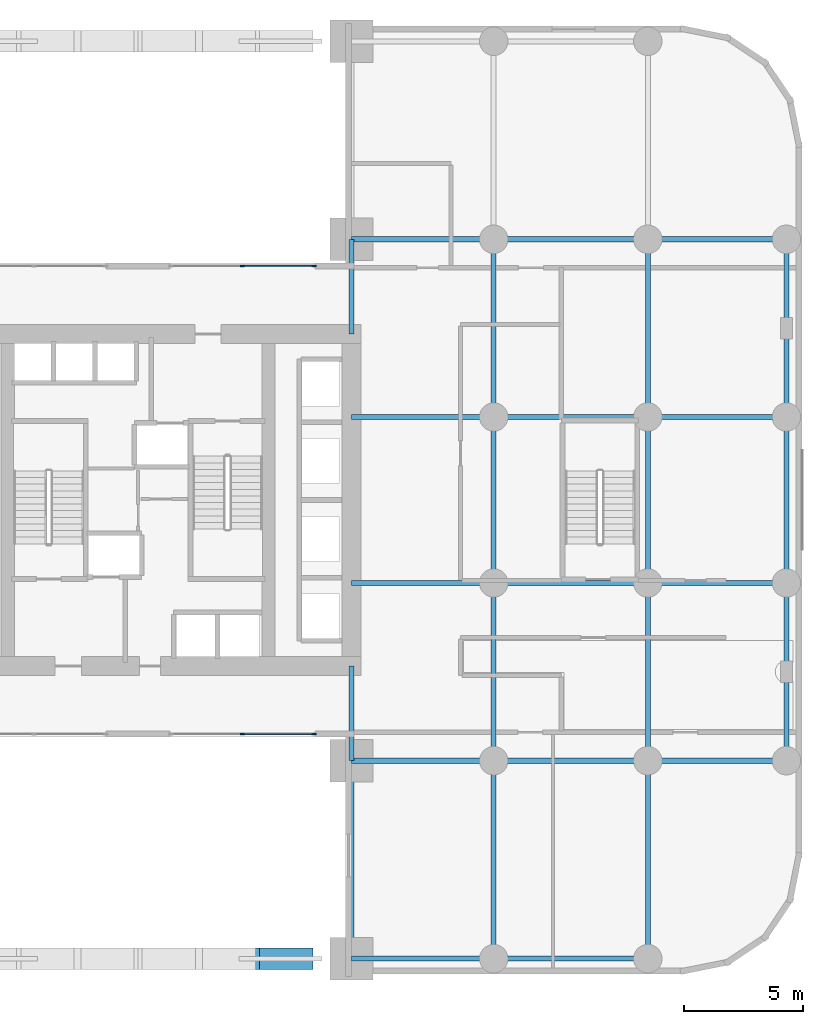
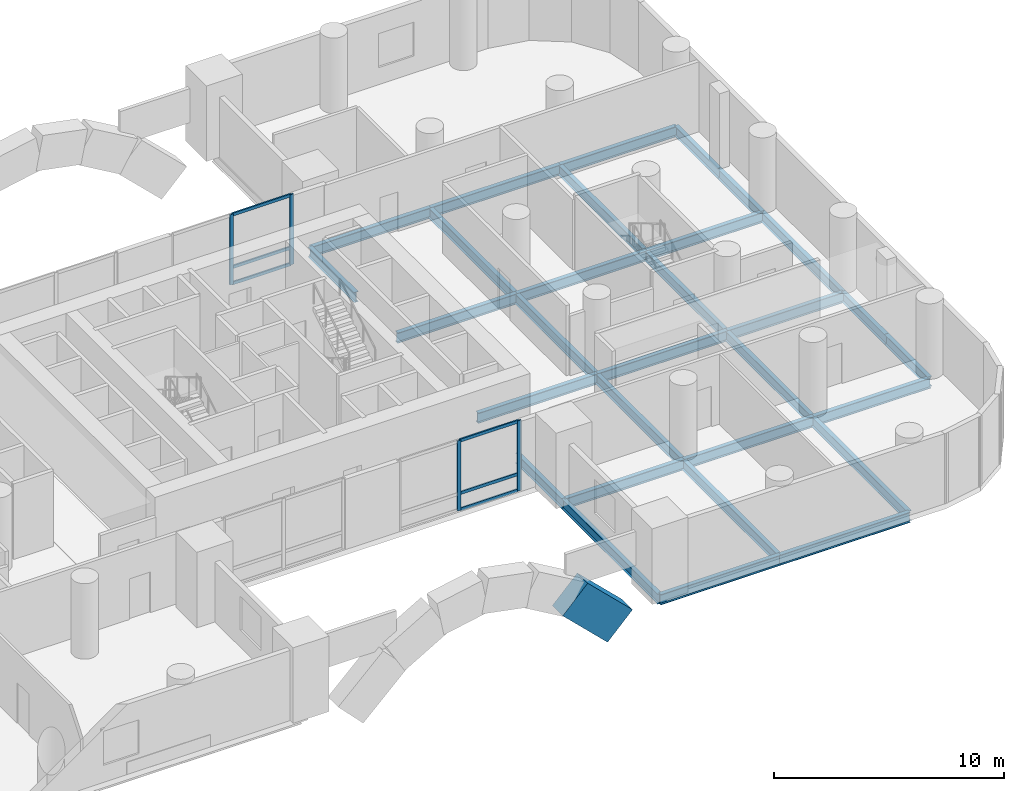
# One storey, part 3 of 9: 30 beams, 11 members, 2 elements without a shape of their own.
"""IFC4 building model written with IfcOpenShell, lengths in metres."""

from ifc_helpers import new_model, si_unit, direction, frame, origin, origin_2d, place, context, subcontext, project, spatial, rectangle, i_section, extrude, material, material_profile, profile_set, type_object, element, aggregate, save


model = new_model("IFC4")

# Units and contexts
model_context = context("Model", 3, precision=1e-05, world=origin(), true_north=direction((0.0, 1.0)))
body_context = subcontext(model_context, "Body", "Model", "MODEL_VIEW")
ifc_project = project(units=[si_unit("LENGTHUNIT", "METRE"), si_unit("AREAUNIT", "SQUARE_METRE"), si_unit("VOLUMEUNIT", "CUBIC_METRE"), si_unit("PLANEANGLEUNIT", "RADIAN"), si_unit("MASSUNIT", "GRAM", prefix="KILO")], contexts=[model_context])

# Site, building, storey
site_placement = place(None, origin())
site = spatial("IfcSite", under=ifc_project, at=site_placement, CompositionType="ELEMENT")
building_placement = place(site_placement, origin())
building = spatial("IfcBuilding", under=site, at=building_placement, Name="Veldorim Arch Residences", CompositionType="ELEMENT")
storey_placement = place(building_placement, frame((0.0, 0.0, 8.0)))
storey = spatial("IfcBuildingStorey", under=building, at=storey_placement, Name="L02", CompositionType="ELEMENT", Elevation=8.0)

# Member
ifc_material_1 = material(Name="Concrete C60/75", Category="concrete")
ifc_material_profile_1 = material_profile(ifc_material_1, rectangle(XDim=0.89990234375, YDim=1.800048828125, at=origin_2d()), Name="RC_RECT_900x1800")
ifc_profile_set_1 = profile_set([ifc_material_profile_1], Name="Concrete C60/75")
member_type_1 = type_object("IfcMemberType", Name="Giant Podium Arch Parabolic Rib 900x1800", PredefinedType="STRUT", material=ifc_profile_set_1)
member_1_placement = place(storey_placement, frame((36.5, 4.64990234375, 1.25), z_axis=(0.716994918814, 0.0, -0.697078393292), x_axis=(0.0, 1.0, 0.0)))
element("IfcMember", 1, at=member_1_placement, inside=storey, type_object=member_type_1, Name="Giant Podium Arch S parabolic rib segment 7", PredefinedType="STRUT", context=body_context, shape_type="SweptSolid", body=[
    extrude(rectangle(XDim=0.89990234375, YDim=1.800048828125, at=origin_2d()), origin(), (0.0, 0.0, 1.0), 3.13818359375),
])

# Curtain wall, members
ifc_material_2 = material(Name="Aluminium", Category="aluminium")
curtain_wall_type = type_object("IfcCurtainWallType", Name="Podium Clinic Double-Glazed Curtain Wall", PredefinedType="NOTDEFINED", material=ifc_material_2)
curtain_wall_1_placement = place(storey_placement, origin())
curtain_wall_1 = element("IfcCurtainWall", 2, at=curtain_wall_1_placement, inside=storey, type_object=curtain_wall_type, Name="L02 polyclinic curtain wall 11-1", PredefinedType="NOTDEFINED")
ifc_material_3 = material(Name="Aluminium", Category="aluminium")
ifc_material_profile_2 = material_profile(ifc_material_3, rectangle(XDim=0.074951171875, YDim=0.18994140625, at=origin_2d()), Name="ALU_MUL_75x190")
ifc_profile_set_2 = profile_set([ifc_material_profile_2], Name="Aluminium")
member_type_2 = type_object("IfcMemberType", Name="Podium Clinic Double-Glazed Curtain Wall Mullion 75x190", PredefinedType="MULLION", material=ifc_profile_set_2)
member_2_placement = place(storey_placement, frame((39.41259765625, 14.125, 0.0), z_axis=(0.0, 0.0, 1.0), x_axis=(0.0, -1.0, 0.0)))
member_2 = element("IfcMember", 3, at=member_2_placement, type_object=member_type_2, Name="CW-POD mullion 1", PredefinedType="MULLION", context=body_context, shape_type="SweptSolid", body=[
    extrude(rectangle(XDim=0.074951171875, YDim=0.18994140625, at=origin_2d()), origin(), (0.0, 0.0, 1.0), 3.719970703125),
])
member_3_placement = place(storey_placement, frame((36.39990234375, 14.125, 0.0), z_axis=(0.0, 0.0, 1.0), x_axis=(0.0, -1.0, 0.0)))
member_3 = element("IfcMember", 4, at=member_3_placement, type_object=member_type_2, Name="CW-POD mullion 2", PredefinedType="MULLION", context=body_context, shape_type="SweptSolid", body=[
    extrude(rectangle(XDim=0.074951171875, YDim=0.18994140625, at=origin_2d()), origin(), (0.0, 0.0, 1.0), 3.719970703125),
])

curtain_wall_2_placement = place(storey_placement, origin())
curtain_wall_2 = element("IfcCurtainWall", 5, at=curtain_wall_2_placement, inside=storey, type_object=curtain_wall_type, Name="L02 polyclinic curtain wall 25-2", PredefinedType="NOTDEFINED")
member_4_placement = place(storey_placement, frame((36.39990234375, 33.875, 0.0), z_axis=(0.0, 0.0, 1.0), x_axis=(0.0, 1.0, 0.0)))
member_4 = element("IfcMember", 6, at=member_4_placement, type_object=member_type_2, Name="CW-POD mullion 2", PredefinedType="MULLION", context=body_context, shape_type="SweptSolid", body=[
    extrude(rectangle(XDim=0.074951171875, YDim=0.18994140625, at=origin_2d()), origin(), (0.0, 0.0, 1.0), 3.719970703125),
])
member_5_placement = place(storey_placement, frame((39.41259765625, 33.875, 0.0), z_axis=(0.0, 0.0, 1.0), x_axis=(0.0, 1.0, 0.0)))
member_5 = element("IfcMember", 7, at=member_5_placement, type_object=member_type_2, Name="CW-POD mullion 3", PredefinedType="MULLION", context=body_context, shape_type="SweptSolid", body=[
    extrude(rectangle(XDim=0.074951171875, YDim=0.18994140625, at=origin_2d()), origin(), (0.0, 0.0, 1.0), 3.719970703125),
])

# Member
ifc_material_4 = material(Name="Aluminium", Category="aluminium")
ifc_material_profile_3 = material_profile(ifc_material_4, rectangle(XDim=0.074951171875, YDim=0.159912109375, at=origin_2d()), Name="ALU_TRN_75x160")
ifc_profile_set_3 = profile_set([ifc_material_profile_3], Name="Aluminium")
member_type_3 = type_object("IfcMemberType", Name="Podium Clinic Double-Glazed Curtain Wall Transom 75x160", PredefinedType="USERDEFINED", material=ifc_profile_set_3)
member_6_placement = place(storey_placement, frame((39.375, 14.125, 0.03759765625), z_axis=(-1.0, 0.0, 0.0), x_axis=(0.0, -1.0, 0.0)))
member_6 = element("IfcMember", 8, at=member_6_placement, type_object=member_type_3, Name="CW-POD transom 1.1", ObjectType="TRANSOM", PredefinedType="USERDEFINED", context=body_context, shape_type="SweptSolid", body=[
    extrude(rectangle(XDim=0.074951171875, YDim=0.159912109375, at=origin_2d()), origin(), (0.0, 0.0, 1.0), 2.9375),
])

member_7_placement = place(storey_placement, frame((39.375, 14.125, 0.89990234375), z_axis=(-1.0, 0.0, 0.0), x_axis=(0.0, -1.0, 0.0)))
member_7 = element("IfcMember", 9, at=member_7_placement, type_object=member_type_3, Name="CW-POD transom 1.2", ObjectType="TRANSOM", PredefinedType="USERDEFINED", context=body_context, shape_type="SweptSolid", body=[
    extrude(rectangle(XDim=0.074951171875, YDim=0.159912109375, at=origin_2d()), origin(), (0.0, 0.0, 1.0), 2.9375),
])

member_8_placement = place(storey_placement, frame((39.375, 14.125, 3.6826171875), z_axis=(-1.0, 0.0, 0.0), x_axis=(0.0, -1.0, 0.0)))
member_8 = element("IfcMember", 10, at=member_8_placement, type_object=member_type_3, Name="CW-POD transom 1.3", ObjectType="TRANSOM", PredefinedType="USERDEFINED", context=body_context, shape_type="SweptSolid", body=[
    extrude(rectangle(XDim=0.074951171875, YDim=0.159912109375, at=origin_2d()), origin(), (0.0, 0.0, 1.0), 2.9375),
])

aggregate(curtain_wall_1, [member_2, member_3, member_6, member_7, member_8])

member_9_placement = place(storey_placement, frame((36.4375, 33.875, 0.03759765625), z_axis=(1.0, 0.0, 0.0), x_axis=(0.0, 1.0, 0.0)))
member_9 = element("IfcMember", 11, at=member_9_placement, type_object=member_type_3, Name="CW-POD transom 2.1", ObjectType="TRANSOM", PredefinedType="USERDEFINED", context=body_context, shape_type="SweptSolid", body=[
    extrude(rectangle(XDim=0.074951171875, YDim=0.159912109375, at=origin_2d()), origin(), (0.0, 0.0, 1.0), 2.9375),
])

member_10_placement = place(storey_placement, frame((36.4375, 33.875, 0.89990234375), z_axis=(1.0, 0.0, 0.0), x_axis=(0.0, 1.0, 0.0)))
member_10 = element("IfcMember", 12, at=member_10_placement, type_object=member_type_3, Name="CW-POD transom 2.2", ObjectType="TRANSOM", PredefinedType="USERDEFINED", context=body_context, shape_type="SweptSolid", body=[
    extrude(rectangle(XDim=0.074951171875, YDim=0.159912109375, at=origin_2d()), origin(), (0.0, 0.0, 1.0), 2.9375),
])

member_11_placement = place(storey_placement, frame((36.4375, 33.875, 3.6826171875), z_axis=(1.0, 0.0, 0.0), x_axis=(0.0, 1.0, 0.0)))
member_11 = element("IfcMember", 13, at=member_11_placement, type_object=member_type_3, Name="CW-POD transom 2.3", ObjectType="TRANSOM", PredefinedType="USERDEFINED", context=body_context, shape_type="SweptSolid", body=[
    extrude(rectangle(XDim=0.074951171875, YDim=0.159912109375, at=origin_2d()), origin(), (0.0, 0.0, 1.0), 2.9375),
])

aggregate(curtain_wall_2, [member_4, member_5, member_9, member_10, member_11])

# Beams
ifc_material_5 = material(Name="Steel S355", Category="steel")
ifc_material_profile_4 = material_profile(ifc_material_5, i_section(OverallWidth=0.2099609375, OverallDepth=0.53662109375, WebThickness=0.0107421875, FlangeThickness=0.017333984375, at=origin_2d()), Name="UB533x210x101")
ifc_profile_set_4 = profile_set([ifc_material_profile_4], Name="Steel S355")
beam_type_1 = type_object("IfcBeamType", Name="Structural Steel Beam UB533x210x101", PredefinedType="BEAM", material=ifc_profile_set_4)
beam_1_placement = place(storey_placement, frame((41.0, 4.64990234375, -0.54833984375), z_axis=(0.0, 1.0, 0.0), x_axis=(-1.0, 0.0, 0.0)))
element("IfcBeam", 14, at=beam_1_placement, inside=storey, type_object=beam_type_1, Name="L02 north-south floor beam (X=41.0, 4.7-13.0)", PredefinedType="BEAM", context=body_context, shape_type="SweptSolid", body=[
    extrude(i_section(OverallWidth=0.2099609375, OverallDepth=0.53662109375, WebThickness=0.0107421875, FlangeThickness=0.017333984375, at=origin_2d()), origin(), (0.0, 0.0, 1.0), 8.35009765625),
])
for number, where, z_axis, x_axis, name in (
    (15, (41.0, 13.0, -0.54833984375), (0.0, 1.0, 0.0), (-1.0, 0.0, 0.0), "L02 north-south floor beam (X=41.0, 13.0-17.0)"),
    (16, (41.0, 31.0, -0.54833984375), (0.0, 1.0, 0.0), (-1.0, 0.0, 0.0), "L02 north-south floor beam (X=41.0, 31.0-35.0)"),
):
    element("IfcBeam", number, at=place(storey_placement, frame(where, z_axis=z_axis, x_axis=x_axis)), inside=storey, type_object=beam_type_1, Name=name, PredefinedType="BEAM", context=body_context, shape_type="SweptSolid", body=[
        extrude(i_section(OverallWidth=0.2099609375, OverallDepth=0.53662109375, WebThickness=0.0107421875, FlangeThickness=0.017333984375, at=origin_2d()), origin(), (0.0, 0.0, 1.0), 4.0),
    ])
beam_2_placement = place(storey_placement, frame((47.0, 4.64990234375, -0.54833984375), z_axis=(0.0, 1.0, 0.0), x_axis=(-1.0, 0.0, 0.0)))
element("IfcBeam", 17, at=beam_2_placement, inside=storey, type_object=beam_type_1, Name="L02 north-south floor beam (X=47.0, 4.7-13.0)", PredefinedType="BEAM", context=body_context, shape_type="SweptSolid", body=[
    extrude(i_section(OverallWidth=0.2099609375, OverallDepth=0.53662109375, WebThickness=0.0107421875, FlangeThickness=0.017333984375, at=origin_2d()), origin(), (0.0, 0.0, 1.0), 8.35009765625),
])
beam_3_placement = place(storey_placement, frame((47.0, 13.0, -0.54833984375), z_axis=(0.0, 1.0, 0.0), x_axis=(-1.0, 0.0, 0.0)))
element("IfcBeam", 18, at=beam_3_placement, inside=storey, type_object=beam_type_1, Name="L02 north-south floor beam (X=47.0, 13.0-20.5)", PredefinedType="BEAM", context=body_context, shape_type="SweptSolid", body=[
    extrude(i_section(OverallWidth=0.2099609375, OverallDepth=0.53662109375, WebThickness=0.0107421875, FlangeThickness=0.017333984375, at=origin_2d()), origin(), (0.0, 0.0, 1.0), 7.5),
])
beam_4_placement = place(storey_placement, frame((47.0, 20.5, -0.54833984375), z_axis=(0.0, 1.0, 0.0), x_axis=(-1.0, 0.0, 0.0)))
element("IfcBeam", 19, at=beam_4_placement, inside=storey, type_object=beam_type_1, Name="L02 north-south floor beam (X=47.0, 20.5-27.5)", PredefinedType="BEAM", context=body_context, shape_type="SweptSolid", body=[
    extrude(i_section(OverallWidth=0.2099609375, OverallDepth=0.53662109375, WebThickness=0.0107421875, FlangeThickness=0.017333984375, at=origin_2d()), origin(), (0.0, 0.0, 1.0), 7.0),
])
beam_5_placement = place(storey_placement, frame((47.0, 27.5, -0.54833984375), z_axis=(0.0, 1.0, 0.0), x_axis=(-1.0, 0.0, 0.0)))
element("IfcBeam", 20, at=beam_5_placement, inside=storey, type_object=beam_type_1, Name="L02 north-south floor beam (X=47.0, 27.5-35.0)", PredefinedType="BEAM", context=body_context, shape_type="SweptSolid", body=[
    extrude(i_section(OverallWidth=0.2099609375, OverallDepth=0.53662109375, WebThickness=0.0107421875, FlangeThickness=0.017333984375, at=origin_2d()), origin(), (0.0, 0.0, 1.0), 7.5),
])
beam_6_placement = place(storey_placement, frame((53.5, 4.64990234375, -0.54833984375), z_axis=(0.0, 1.0, 0.0), x_axis=(-1.0, 0.0, 0.0)))
element("IfcBeam", 21, at=beam_6_placement, inside=storey, type_object=beam_type_1, Name="L02 north-south floor beam (X=53.5, 4.7-13.0)", PredefinedType="BEAM", context=body_context, shape_type="SweptSolid", body=[
    extrude(i_section(OverallWidth=0.2099609375, OverallDepth=0.53662109375, WebThickness=0.0107421875, FlangeThickness=0.017333984375, at=origin_2d()), origin(), (0.0, 0.0, 1.0), 8.35009765625),
])
beam_7_placement = place(storey_placement, frame((53.5, 13.0, -0.54833984375), z_axis=(0.0, 1.0, 0.0), x_axis=(-1.0, 0.0, 0.0)))
element("IfcBeam", 22, at=beam_7_placement, inside=storey, type_object=beam_type_1, Name="L02 north-south floor beam (X=53.5, 13.0-20.5)", PredefinedType="BEAM", context=body_context, shape_type="SweptSolid", body=[
    extrude(i_section(OverallWidth=0.2099609375, OverallDepth=0.53662109375, WebThickness=0.0107421875, FlangeThickness=0.017333984375, at=origin_2d()), origin(), (0.0, 0.0, 1.0), 7.5),
])
beam_8_placement = place(storey_placement, frame((53.5, 20.5, -0.54833984375), z_axis=(0.0, 1.0, 0.0), x_axis=(-1.0, 0.0, 0.0)))
element("IfcBeam", 23, at=beam_8_placement, inside=storey, type_object=beam_type_1, Name="L02 north-south floor beam (X=53.5, 20.5-27.5)", PredefinedType="BEAM", context=body_context, shape_type="SweptSolid", body=[
    extrude(i_section(OverallWidth=0.2099609375, OverallDepth=0.53662109375, WebThickness=0.0107421875, FlangeThickness=0.017333984375, at=origin_2d()), origin(), (0.0, 0.0, 1.0), 7.0),
])
beam_9_placement = place(storey_placement, frame((53.5, 27.5, -0.54833984375), z_axis=(0.0, 1.0, 0.0), x_axis=(-1.0, 0.0, 0.0)))
element("IfcBeam", 24, at=beam_9_placement, inside=storey, type_object=beam_type_1, Name="L02 north-south floor beam (X=53.5, 27.5-35.0)", PredefinedType="BEAM", context=body_context, shape_type="SweptSolid", body=[
    extrude(i_section(OverallWidth=0.2099609375, OverallDepth=0.53662109375, WebThickness=0.0107421875, FlangeThickness=0.017333984375, at=origin_2d()), origin(), (0.0, 0.0, 1.0), 7.5),
])
for number, where, z_axis, x_axis, name in (
    (25, (59.35009765625, 13.0, -0.54833984375), (0.0, 1.0, 0.0), (-1.0, 0.0, 0.0), "L02 north-south floor beam (X=59.4, 13.0-16.8)"),
    (26, (59.35009765625, 16.75, -0.54833984375), (0.0, 1.0, 0.0), (-1.0, 0.0, 0.0), "L02 north-south floor beam (X=59.4, 16.8-20.5)"),
):
    element("IfcBeam", number, at=place(storey_placement, frame(where, z_axis=z_axis, x_axis=x_axis)), inside=storey, type_object=beam_type_1, Name=name, PredefinedType="BEAM", context=body_context, shape_type="SweptSolid", body=[
        extrude(i_section(OverallWidth=0.2099609375, OverallDepth=0.53662109375, WebThickness=0.0107421875, FlangeThickness=0.017333984375, at=origin_2d()), origin(), (0.0, 0.0, 1.0), 3.75),
    ])
beam_10_placement = place(storey_placement, frame((59.35009765625, 20.5, -0.54833984375), z_axis=(0.0, 1.0, 0.0), x_axis=(-1.0, 0.0, 0.0)))
element("IfcBeam", 27, at=beam_10_placement, inside=storey, type_object=beam_type_1, Name="L02 north-south floor beam (X=59.4, 20.5-27.5)", PredefinedType="BEAM", context=body_context, shape_type="SweptSolid", body=[
    extrude(i_section(OverallWidth=0.2099609375, OverallDepth=0.53662109375, WebThickness=0.0107421875, FlangeThickness=0.017333984375, at=origin_2d()), origin(), (0.0, 0.0, 1.0), 7.0),
])
for number, where, z_axis, x_axis, name in (
    (28, (59.35009765625, 27.5, -0.54833984375), (0.0, 1.0, 0.0), (-1.0, 0.0, 0.0), "L02 north-south floor beam (X=59.4, 27.5-31.2)"),
    (29, (59.35009765625, 31.25, -0.54833984375), (0.0, 1.0, 0.0), (-1.0, 0.0, 0.0), "L02 north-south floor beam (X=59.4, 31.2-35.0)"),
):
    element("IfcBeam", number, at=place(storey_placement, frame(where, z_axis=z_axis, x_axis=x_axis)), inside=storey, type_object=beam_type_1, Name=name, PredefinedType="BEAM", context=body_context, shape_type="SweptSolid", body=[
        extrude(i_section(OverallWidth=0.2099609375, OverallDepth=0.53662109375, WebThickness=0.0107421875, FlangeThickness=0.017333984375, at=origin_2d()), origin(), (0.0, 0.0, 1.0), 3.75),
    ])
ifc_material_6 = material(Name="Steel S355", Category="steel")
ifc_material_profile_5 = material_profile(ifc_material_6, i_section(OverallWidth=0.2119140625, OverallDepth=0.54443359375, WebThickness=0.0126953125, FlangeThickness=0.021240234375, at=origin_2d()), Name="UB533x210x122")
ifc_profile_set_5 = profile_set([ifc_material_profile_5], Name="Steel S355")
beam_type_2 = type_object("IfcBeamType", Name="Structural Steel Beam UB533x210x122", PredefinedType="BEAM", material=ifc_profile_set_5)
beam_11_placement = place(storey_placement, frame((41.0, 4.64990234375, -0.55224609375), z_axis=(1.0, 0.0, 0.0), x_axis=(0.0, 1.0, 0.0)))
element("IfcBeam", 30, at=beam_11_placement, inside=storey, type_object=beam_type_2, Name="L02 east-west floor beam (41.0-47.0, Y=4.7)", PredefinedType="BEAM", context=body_context, shape_type="SweptSolid", body=[
    extrude(i_section(OverallWidth=0.2119140625, OverallDepth=0.54443359375, WebThickness=0.0126953125, FlangeThickness=0.021240234375, at=origin_2d()), origin(), (0.0, 0.0, 1.0), 6.0),
])
beam_12_placement = place(storey_placement, frame((47.0, 4.64990234375, -0.55224609375), z_axis=(1.0, 0.0, 0.0), x_axis=(0.0, 1.0, 0.0)))
element("IfcBeam", 31, at=beam_12_placement, inside=storey, type_object=beam_type_2, Name="L02 east-west floor beam (47.0-53.5, Y=4.7)", PredefinedType="BEAM", context=body_context, shape_type="SweptSolid", body=[
    extrude(i_section(OverallWidth=0.2119140625, OverallDepth=0.54443359375, WebThickness=0.0126953125, FlangeThickness=0.021240234375, at=origin_2d()), origin(), (0.0, 0.0, 1.0), 6.5),
])
beam_13_placement = place(storey_placement, frame((41.0, 13.0, -0.55224609375), z_axis=(1.0, 0.0, 0.0), x_axis=(0.0, 1.0, 0.0)))
element("IfcBeam", 32, at=beam_13_placement, inside=storey, type_object=beam_type_2, Name="L02 east-west floor beam (41.0-47.0, Y=13.0)", PredefinedType="BEAM", context=body_context, shape_type="SweptSolid", body=[
    extrude(i_section(OverallWidth=0.2119140625, OverallDepth=0.54443359375, WebThickness=0.0126953125, FlangeThickness=0.021240234375, at=origin_2d()), origin(), (0.0, 0.0, 1.0), 6.0),
])
beam_14_placement = place(storey_placement, frame((47.0, 13.0, -0.55224609375), z_axis=(1.0, 0.0, 0.0), x_axis=(0.0, 1.0, 0.0)))
element("IfcBeam", 33, at=beam_14_placement, inside=storey, type_object=beam_type_2, Name="L02 east-west floor beam (47.0-53.5, Y=13.0)", PredefinedType="BEAM", context=body_context, shape_type="SweptSolid", body=[
    extrude(i_section(OverallWidth=0.2119140625, OverallDepth=0.54443359375, WebThickness=0.0126953125, FlangeThickness=0.021240234375, at=origin_2d()), origin(), (0.0, 0.0, 1.0), 6.5),
])
beam_15_placement = place(storey_placement, frame((53.5, 13.0, -0.55224609375), z_axis=(1.0, 0.0, 0.0), x_axis=(0.0, 1.0, 0.0)))
element("IfcBeam", 34, at=beam_15_placement, inside=storey, type_object=beam_type_2, Name="L02 east-west floor beam (53.5-59.4, Y=13.0)", PredefinedType="BEAM", context=body_context, shape_type="SweptSolid", body=[
    extrude(i_section(OverallWidth=0.2119140625, OverallDepth=0.54443359375, WebThickness=0.0126953125, FlangeThickness=0.021240234375, at=origin_2d()), origin(), (0.0, 0.0, 1.0), 5.85009765625),
])
beam_16_placement = place(storey_placement, frame((41.0, 20.5, -0.55224609375), z_axis=(1.0, 0.0, 0.0), x_axis=(0.0, 1.0, 0.0)))
element("IfcBeam", 35, at=beam_16_placement, inside=storey, type_object=beam_type_2, Name="L02 east-west floor beam (41.0-47.0, Y=20.5)", PredefinedType="BEAM", context=body_context, shape_type="SweptSolid", body=[
    extrude(i_section(OverallWidth=0.2119140625, OverallDepth=0.54443359375, WebThickness=0.0126953125, FlangeThickness=0.021240234375, at=origin_2d()), origin(), (0.0, 0.0, 1.0), 6.0),
])
beam_17_placement = place(storey_placement, frame((47.0, 20.5, -0.55224609375), z_axis=(1.0, 0.0, 0.0), x_axis=(0.0, 1.0, 0.0)))
element("IfcBeam", 36, at=beam_17_placement, inside=storey, type_object=beam_type_2, Name="L02 east-west floor beam (47.0-53.5, Y=20.5)", PredefinedType="BEAM", context=body_context, shape_type="SweptSolid", body=[
    extrude(i_section(OverallWidth=0.2119140625, OverallDepth=0.54443359375, WebThickness=0.0126953125, FlangeThickness=0.021240234375, at=origin_2d()), origin(), (0.0, 0.0, 1.0), 6.5),
])
beam_18_placement = place(storey_placement, frame((53.5, 20.5, -0.55224609375), z_axis=(1.0, 0.0, 0.0), x_axis=(0.0, 1.0, 0.0)))
element("IfcBeam", 37, at=beam_18_placement, inside=storey, type_object=beam_type_2, Name="L02 east-west floor beam (53.5-59.4, Y=20.5)", PredefinedType="BEAM", context=body_context, shape_type="SweptSolid", body=[
    extrude(i_section(OverallWidth=0.2119140625, OverallDepth=0.54443359375, WebThickness=0.0126953125, FlangeThickness=0.021240234375, at=origin_2d()), origin(), (0.0, 0.0, 1.0), 5.85009765625),
])
beam_19_placement = place(storey_placement, frame((41.0, 27.5, -0.55224609375), z_axis=(1.0, 0.0, 0.0), x_axis=(0.0, 1.0, 0.0)))
element("IfcBeam", 38, at=beam_19_placement, inside=storey, type_object=beam_type_2, Name="L02 east-west floor beam (41.0-47.0, Y=27.5)", PredefinedType="BEAM", context=body_context, shape_type="SweptSolid", body=[
    extrude(i_section(OverallWidth=0.2119140625, OverallDepth=0.54443359375, WebThickness=0.0126953125, FlangeThickness=0.021240234375, at=origin_2d()), origin(), (0.0, 0.0, 1.0), 6.0),
])
beam_20_placement = place(storey_placement, frame((47.0, 27.5, -0.55224609375), z_axis=(1.0, 0.0, 0.0), x_axis=(0.0, 1.0, 0.0)))
element("IfcBeam", 39, at=beam_20_placement, inside=storey, type_object=beam_type_2, Name="L02 east-west floor beam (47.0-53.5, Y=27.5)", PredefinedType="BEAM", context=body_context, shape_type="SweptSolid", body=[
    extrude(i_section(OverallWidth=0.2119140625, OverallDepth=0.54443359375, WebThickness=0.0126953125, FlangeThickness=0.021240234375, at=origin_2d()), origin(), (0.0, 0.0, 1.0), 6.5),
])
beam_21_placement = place(storey_placement, frame((53.5, 27.5, -0.55224609375), z_axis=(1.0, 0.0, 0.0), x_axis=(0.0, 1.0, 0.0)))
element("IfcBeam", 40, at=beam_21_placement, inside=storey, type_object=beam_type_2, Name="L02 east-west floor beam (53.5-59.4, Y=27.5)", PredefinedType="BEAM", context=body_context, shape_type="SweptSolid", body=[
    extrude(i_section(OverallWidth=0.2119140625, OverallDepth=0.54443359375, WebThickness=0.0126953125, FlangeThickness=0.021240234375, at=origin_2d()), origin(), (0.0, 0.0, 1.0), 5.85009765625),
])
beam_22_placement = place(storey_placement, frame((41.0, 35.0, -0.55224609375), z_axis=(1.0, 0.0, 0.0), x_axis=(0.0, 1.0, 0.0)))
element("IfcBeam", 41, at=beam_22_placement, inside=storey, type_object=beam_type_2, Name="L02 east-west floor beam (41.0-47.0, Y=35.0)", PredefinedType="BEAM", context=body_context, shape_type="SweptSolid", body=[
    extrude(i_section(OverallWidth=0.2119140625, OverallDepth=0.54443359375, WebThickness=0.0126953125, FlangeThickness=0.021240234375, at=origin_2d()), origin(), (0.0, 0.0, 1.0), 6.0),
])
beam_23_placement = place(storey_placement, frame((47.0, 35.0, -0.55224609375), z_axis=(1.0, 0.0, 0.0), x_axis=(0.0, 1.0, 0.0)))
element("IfcBeam", 42, at=beam_23_placement, inside=storey, type_object=beam_type_2, Name="L02 east-west floor beam (47.0-53.5, Y=35.0)", PredefinedType="BEAM", context=body_context, shape_type="SweptSolid", body=[
    extrude(i_section(OverallWidth=0.2119140625, OverallDepth=0.54443359375, WebThickness=0.0126953125, FlangeThickness=0.021240234375, at=origin_2d()), origin(), (0.0, 0.0, 1.0), 6.5),
])
beam_24_placement = place(storey_placement, frame((53.5, 35.0, -0.55224609375), z_axis=(1.0, 0.0, 0.0), x_axis=(0.0, 1.0, 0.0)))
element("IfcBeam", 43, at=beam_24_placement, inside=storey, type_object=beam_type_2, Name="L02 east-west floor beam (53.5-59.4, Y=35.0)", PredefinedType="BEAM", context=body_context, shape_type="SweptSolid", body=[
    extrude(i_section(OverallWidth=0.2119140625, OverallDepth=0.54443359375, WebThickness=0.0126953125, FlangeThickness=0.021240234375, at=origin_2d()), origin(), (0.0, 0.0, 1.0), 5.85009765625),
])

save(model, "model.ifc")
